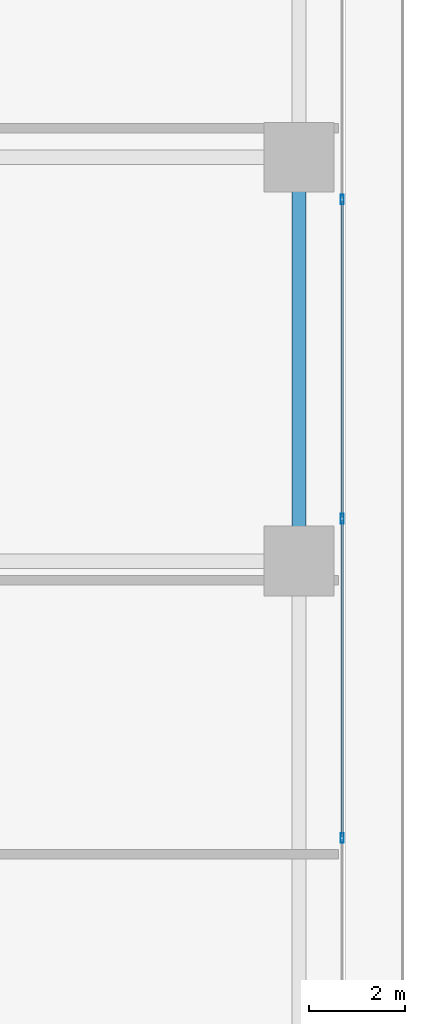
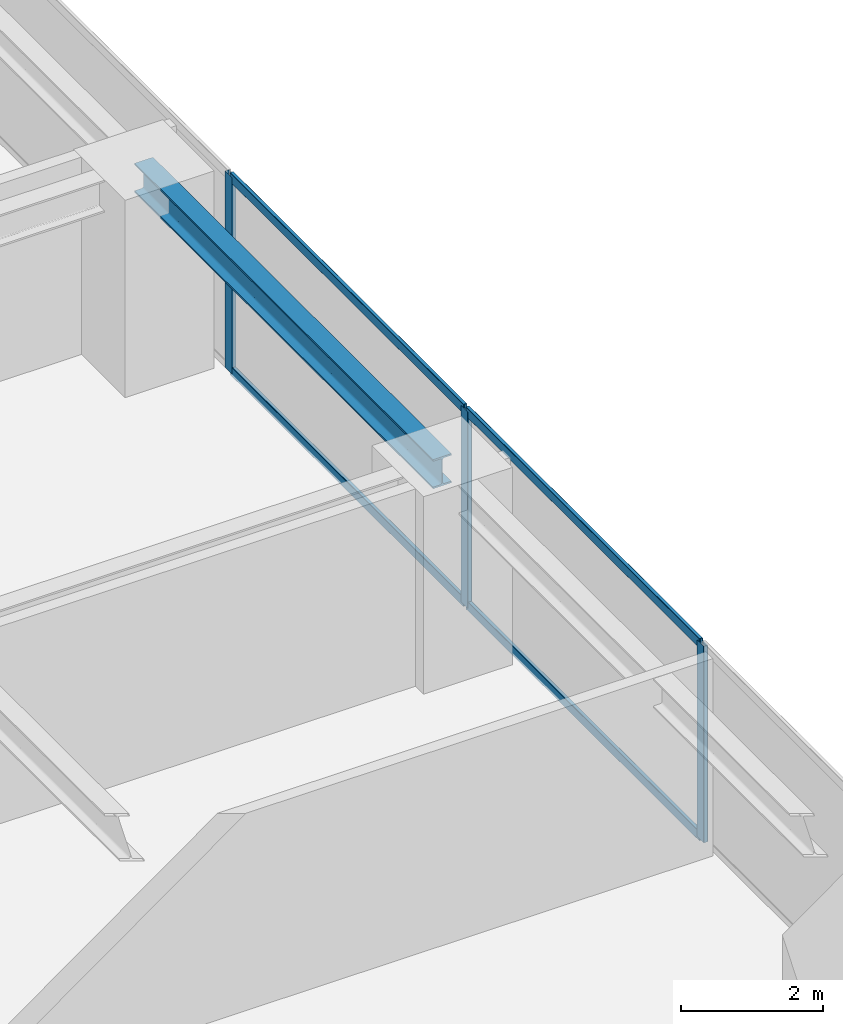
# One storey, part 15 of 40: 7 members, 1 beam, 1 element without a shape of its own.
"""IFC4 building model written with IfcOpenShell, lengths in metres."""

from ifc_helpers import new_model, si_unit, direction, frame, origin, origin_2d, place, context, subcontext, project, spatial, hollow_rectangle, i_section, extrude, source, transform, mapped, material, layer, layer_set, material_profile, profile_set, type_object, element, aggregate, save


model = new_model("IFC4")

# Units and contexts
model_context = context("Model", 3, precision=1e-05, world=origin(), true_north=direction((0.0, 1.0)))
body_context = subcontext(model_context, "Body", "Model", "MODEL_VIEW")
ifc_project = project(units=[si_unit("LENGTHUNIT", "METRE"), si_unit("AREAUNIT", "SQUARE_METRE"), si_unit("VOLUMEUNIT", "CUBIC_METRE"), si_unit("PLANEANGLEUNIT", "RADIAN"), si_unit("MASSUNIT", "GRAM", prefix="KILO")], contexts=[model_context])

# Site, building, storey
site_placement = place(None, origin())
site = spatial("IfcSite", under=ifc_project, at=site_placement, CompositionType="ELEMENT")
building_placement = place(site_placement, origin())
building = spatial("IfcBuilding", under=site, at=building_placement, Name="Serunith Strait Residences", CompositionType="ELEMENT")
storey_placement = place(building_placement, frame((0.0, 0.0, 105.449951171875)))
storey = spatial("IfcBuildingStorey", under=building, at=storey_placement, Name="L26", CompositionType="ELEMENT", Elevation=105.449951171875)

# Beam
ifc_material_1 = material(Name="Steel S355J2", Category="steel")
ifc_material_profile_1 = material_profile(ifc_material_1, i_section(OverallWidth=0.300048828125, OverallDepth=0.5, WebThickness=0.014404296875, FlangeThickness=0.028076171875, FilletRadius=0.027099609375, at=origin_2d()), Name="HEB 500")
ifc_profile_set_1 = profile_set([ifc_material_profile_1], Name="Steel S355J2")
beam_type = type_object("IfcBeamType", Name="BM-HEB500", PredefinedType="BEAM", material=ifc_profile_set_1)
shared_shape_1 = source(origin(), body_context, "Body", "SweptSolid", [
    extrude(i_section(OverallWidth=0.300048828125, OverallDepth=0.5, WebThickness=0.014404296875, FlangeThickness=0.028076171875, FilletRadius=0.027099609375, at=origin_2d()), origin(), (0.0, 0.0, 1.0), 8.39990234375),
])
beam_placement = place(storey_placement, frame((57.89990234375, 21.0, 3.136962890625), z_axis=(0.0, 1.0, 0.0), x_axis=(-1.0, 0.0, 0.0)))
element("IfcBeam", 1, at=beam_placement, inside=storey, type_object=beam_type, Name="L26 Perimeter Ring Beam 06", PredefinedType="BEAM", context=body_context, shape_type="MappedRepresentation", body=[
    mapped(shared_shape_1, transform((0.0, 0.0, 0.0), scale=1.0)),
])

# Curtain wall, members
ifc_material_2 = material(Name="Pale-Champagne Anodised Aluminium", Category="aluminium")
ifc_layer = layer(ifc_material_2, 0.199951171875, Name="Pale-Champagne Anodised Aluminium")
ifc_layer_set = layer_set([ifc_layer], Name="Pale-Champagne Anodised Aluminium")
curtain_wall_type = type_object("IfcCurtainWallType", Name="CW-SYS1", PredefinedType="NOTDEFINED", material=ifc_layer_set)
curtain_wall_placement = place(storey_placement, origin())
curtain_wall = element("IfcCurtainWall", 2, at=curtain_wall_placement, inside=storey, type_object=curtain_wall_type, Name="L26 E Unitised Fritted Curtain Wall", PredefinedType="NOTDEFINED")
ifc_material_profile_2 = material_profile(ifc_material_2, hollow_rectangle(XDim=0.06005859375, YDim=0.159912109375, WallThickness=0.00341796875, InnerFilletRadius=0.00537109375, OuterFilletRadius=0.0087890625, at=origin_2d()), Name="ALU 160x60x3.5")
ifc_profile_set_2 = profile_set([ifc_material_profile_2], Name="Pale-Champagne Anodised Aluminium")
member_type_1 = type_object("IfcMemberType", Name="CW-SYS1-TRAN", PredefinedType="USERDEFINED", material=ifc_profile_set_2)
shared_shape_2 = source(origin(), body_context, "Body", "SweptSolid", [
    extrude(hollow_rectangle(XDim=0.06005859375, YDim=0.159912109375, WallThickness=0.00341796875, InnerFilletRadius=0.00537109375, OuterFilletRadius=0.0087890625, at=origin_2d()), origin(), (0.0, 0.0, 1.0), 6.570068359375),
])
member_1_placement = place(storey_placement, frame((58.800048828125, 15.27490234375, 0.030029296875), z_axis=(0.0, 1.0, 0.0), x_axis=(-1.0, 0.0, 0.0)))
member_1 = element("IfcMember", 3, at=member_1_placement, type_object=member_type_1, Name="CW-1 transom 2.1", ObjectType="TRANSOM", PredefinedType="USERDEFINED", context=body_context, shape_type="MappedRepresentation", body=[
    mapped(shared_shape_2, transform((0.0, 0.0, 0.0), scale=1.0)),
])
member_2_placement = place(storey_placement, frame((58.800048828125, 15.27490234375, 3.344970703125), z_axis=(0.0, 1.0, 0.0), x_axis=(-1.0, 0.0, 0.0)))
member_2 = element("IfcMember", 4, at=member_2_placement, type_object=member_type_1, Name="CW-1 transom 2.2", ObjectType="TRANSOM", PredefinedType="USERDEFINED", context=body_context, shape_type="MappedRepresentation", body=[
    mapped(shared_shape_2, transform((0.0, 0.0, 0.0), scale=1.0)),
])
member_3_placement = place(storey_placement, frame((58.800048828125, 21.9150390625, 0.030029296875), z_axis=(0.0, 1.0, 0.0), x_axis=(-1.0, 0.0, 0.0)))
member_3 = element("IfcMember", 5, at=member_3_placement, type_object=member_type_1, Name="CW-1 transom 3.1", ObjectType="TRANSOM", PredefinedType="USERDEFINED", context=body_context, shape_type="MappedRepresentation", body=[
    mapped(shared_shape_2, transform((0.0, 0.0, 0.0), scale=1.0)),
])
member_4_placement = place(storey_placement, frame((58.800048828125, 21.9150390625, 3.344970703125), z_axis=(0.0, 1.0, 0.0), x_axis=(-1.0, 0.0, 0.0)))
member_4 = element("IfcMember", 6, at=member_4_placement, type_object=member_type_1, Name="CW-1 transom 3.2", ObjectType="TRANSOM", PredefinedType="USERDEFINED", context=body_context, shape_type="MappedRepresentation", body=[
    mapped(shared_shape_2, transform((0.0, 0.0, 0.0), scale=1.0)),
])
ifc_material_profile_3 = material_profile(ifc_material_2, hollow_rectangle(XDim=0.070068359375, YDim=0.199951171875, WallThickness=0.00390625, InnerFilletRadius=0.006103515625, OuterFilletRadius=0.010009765625, at=origin_2d()), Name="ALU 200x70x4")
ifc_profile_set_3 = profile_set([ifc_material_profile_3], Name="Pale-Champagne Anodised Aluminium")
member_type_2 = type_object("IfcMemberType", Name="CW-SYS1-MULL", PredefinedType="MULLION", material=ifc_profile_set_3)
shared_shape_3 = source(origin(), body_context, "Body", "SweptSolid", [
    extrude(hollow_rectangle(XDim=0.070068359375, YDim=0.199951171875, WallThickness=0.00390625, InnerFilletRadius=0.006103515625, OuterFilletRadius=0.010009765625, at=origin_2d()), origin(), (0.0, 0.0, 1.0), 3.375),
])
member_5_placement = place(storey_placement, frame((58.800048828125, 15.239990234375, 0.0), z_axis=(0.0, 0.0, 1.0), x_axis=(-1.0, 0.0, 0.0)))
member_5 = element("IfcMember", 7, at=member_5_placement, type_object=member_type_2, Name="CW-1 mullion 2", PredefinedType="MULLION", context=body_context, shape_type="MappedRepresentation", body=[
    mapped(shared_shape_3, transform((0.0, 0.0, 0.0), scale=1.0)),
])
member_6_placement = place(storey_placement, frame((58.800048828125, 21.8798828125, 0.0), z_axis=(0.0, 0.0, 1.0), x_axis=(-1.0, 0.0, 0.0)))
member_6 = element("IfcMember", 8, at=member_6_placement, type_object=member_type_2, Name="CW-1 mullion 3", PredefinedType="MULLION", context=body_context, shape_type="MappedRepresentation", body=[
    mapped(shared_shape_3, transform((0.0, 0.0, 0.0), scale=1.0)),
])
member_7_placement = place(storey_placement, frame((58.800048828125, 28.52001953125, 0.0), z_axis=(0.0, 0.0, 1.0), x_axis=(-1.0, 0.0, 0.0)))
member_7 = element("IfcMember", 9, at=member_7_placement, type_object=member_type_2, Name="CW-1 mullion 4", PredefinedType="MULLION", context=body_context, shape_type="MappedRepresentation", body=[
    mapped(shared_shape_3, transform((0.0, 0.0, 0.0), scale=1.0)),
])
aggregate(curtain_wall, [member_5, member_6, member_7, member_1, member_2, member_3, member_4])

save(model, "model.ifc")
